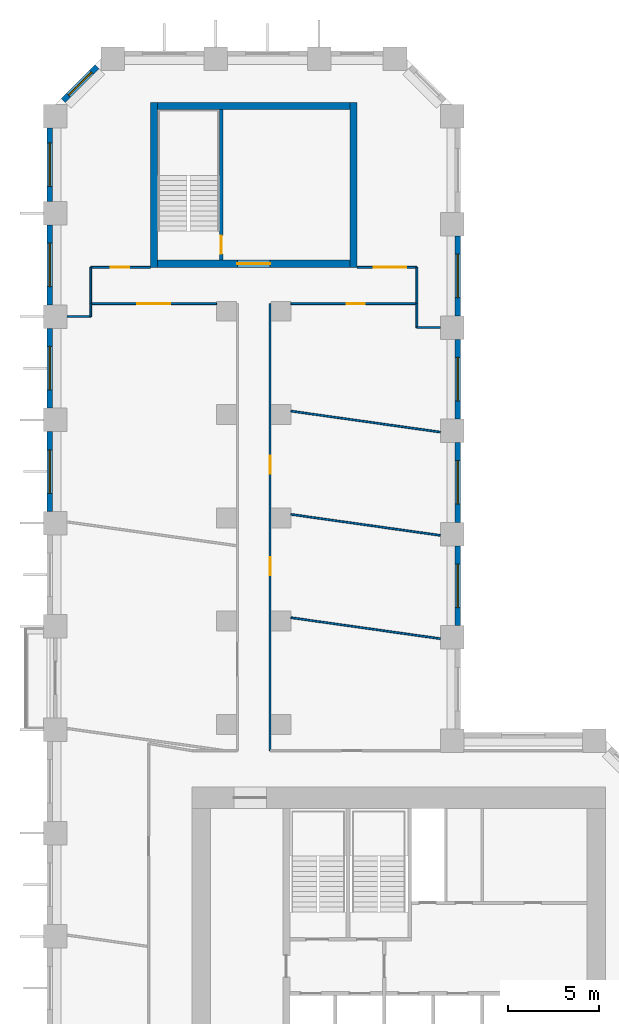
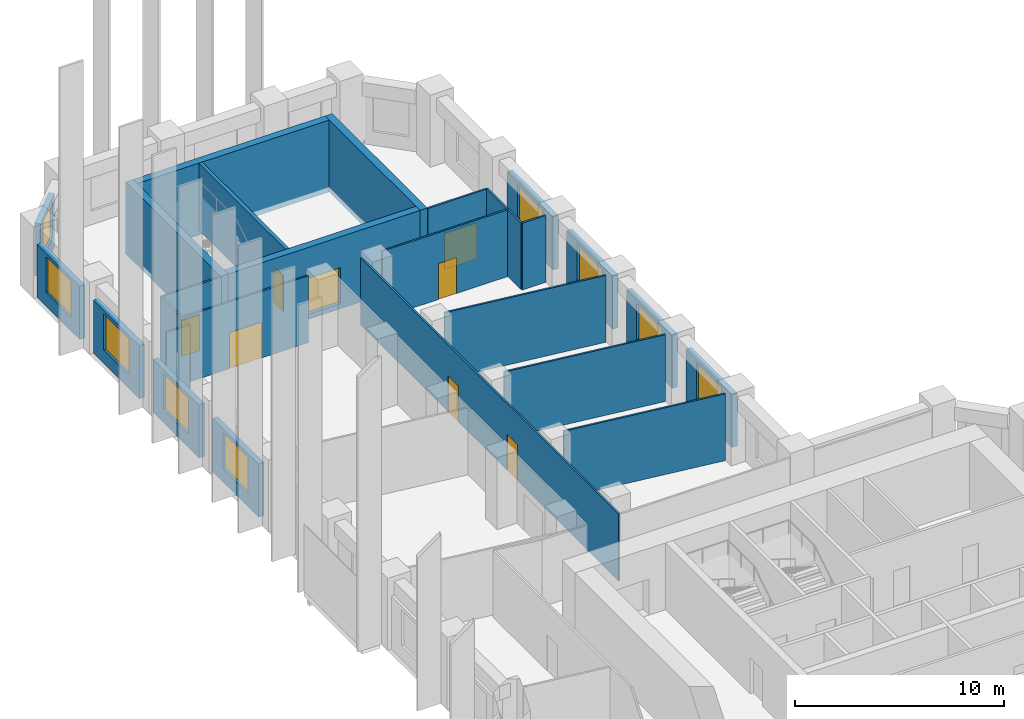
# One storey, part 8 of 10: 28 walls, 9 windows, 8 doors, 17 openings.
"""IFC4 building model written with IfcOpenShell, lengths in metres."""

import ifcopenshell
import ifcopenshell.guid

model = None  # the IFC model being written
_history = None  # IfcOwnerHistory: only IFC2X3 demands one
_inside = {}  # id of a spatial element -> (the spatial element, [elements in it])
_under = {}  # id of a project, library or spatial element -> (it, [spatial elements below it])
_declared = {}  # id of a project -> (the project, [libraries it declares])
_typed = {}  # id of a type object -> (the type object, [elements of that type])
_made_of = {}  # id of a material, layer set ... -> (it, [elements and type objects made of it])


def new_model(schema):
    """Start an empty IFC model of exactly this schema.

    Asked for "IFC4X3", IfcOpenShell would pick the latest addendum, in which some entities
    have other attributes; the version numbers below select the first issue.
    IFC2X3 requires an IfcOwnerHistory on every rooted entity: one is made here for all.
    """
    global model, _history
    if schema == "IFC4X3":
        model = ifcopenshell.file(schema_version=(4, 3, 0, 0))
    else:
        model = ifcopenshell.file(schema=schema)
    _inside.clear()
    _under.clear()
    _declared.clear()
    _typed.clear()
    _made_of.clear()
    _history = None
    if model.schema == "IFC2X3":
        org = make("IfcOrganization", Name="unknown")
        user = make(
            "IfcPersonAndOrganization",
            ThePerson=make("IfcPerson", FamilyName="unknown"),
            TheOrganization=org,
        )
        app = make(
            "IfcApplication",
            ApplicationDeveloper=org,
            Version="unknown",
            ApplicationFullName="unknown",
            ApplicationIdentifier="unknown",
        )
        _history = make(
            "IfcOwnerHistory",
            OwningUser=user,
            OwningApplication=app,
            ChangeAction="ADDED",
            CreationDate=0,
        )
    return model


def make(cls, **values):
    """One entity of the class cls with the attributes given. An attribute that is None is left unset."""
    return model.create_entity(
        cls, **{name: value for name, value in values.items() if value is not None}
    )


def rooted(cls, **values):
    """An entity with a GlobalId (a new one), such as an element, a storey or a relation."""
    return make(cls, GlobalId=ifcopenshell.guid.new(), OwnerHistory=_history, **values)


def si_unit(unit_type, name, prefix=None):
    """IfcSIUnit, for example si_unit("LENGTHUNIT", "METRE", prefix="MILLI")."""
    return make("IfcSIUnit", UnitType=unit_type, Prefix=prefix, Name=name)


def assignment(units):
    """IfcUnitAssignment: the units of a project."""
    return None if units is None else make("IfcUnitAssignment", Units=units)


def point(xyz):
    """IfcCartesianPoint."""
    return None if xyz is None else make("IfcCartesianPoint", Coordinates=xyz)


def direction(xyz):
    """IfcDirection."""
    return None if xyz is None else make("IfcDirection", DirectionRatios=xyz)


def frame(location, z_axis=None, x_axis=None):
    """IfcAxis2Placement3D, a coordinate frame: its origin and axes. An axis left out is left unset."""
    return make(
        "IfcAxis2Placement3D",
        Location=point(location),
        Axis=direction(z_axis),
        RefDirection=direction(x_axis),
    )


def frame_2d(location, x_axis=None):
    """IfcAxis2Placement2D, a coordinate frame in the plane: its origin and x axis."""
    return make(
        "IfcAxis2Placement2D", Location=point(location), RefDirection=direction(x_axis)
    )


def origin():
    """The frame at (0, 0, 0) with its axes left unset."""
    return frame((0.0, 0.0, 0.0))


def place(relative_to, where):
    """IfcLocalPlacement: puts the frame where relative to a parent placement (None: the world)."""
    return make(
        "IfcLocalPlacement", PlacementRelTo=relative_to, RelativePlacement=where
    )


def context(
    kind, dimensions, precision=None, world=None, true_north=None, identifier=None
):
    """IfcGeometricRepresentationContext, for example the 3D "Model" context."""
    return make(
        "IfcGeometricRepresentationContext",
        ContextIdentifier=identifier,
        ContextType=kind,
        CoordinateSpaceDimension=dimensions,
        Precision=precision,
        WorldCoordinateSystem=world,
        TrueNorth=true_north,
    )


def subcontext(parent, identifier, kind, view, scale=None):
    """IfcGeometricRepresentationSubContext, for example "Body" below "Model"."""
    return make(
        "IfcGeometricRepresentationSubContext",
        ContextIdentifier=identifier,
        ContextType=kind,
        ParentContext=parent,
        TargetScale=scale,
        TargetView=view,
    )


def project(units=None, contexts=None):
    """IfcProject with its units and contexts."""
    return rooted(
        "IfcProject",
        Name="project",
        RepresentationContexts=contexts,
        UnitsInContext=assignment(units),
    )


def spatial(cls, under=None, at=None, **own):
    """A site, building, storey or space (cls), placed at a placement, below another one or the project."""
    s = rooted(cls, ObjectPlacement=at, **own)
    if under is not None:
        _under.setdefault(under.id(), (under, []))[1].append(s)
    return s


def profile(cls, at=None, kind="AREA", **sizes):
    """A parametric profile (cls). Its sizes go by their IFC names, for example OverallWidth=200.0."""
    return make(cls, ProfileType=kind, Position=at, **sizes)


def rectangle(**sizes):
    """IfcRectangleProfileDef."""
    return profile("IfcRectangleProfileDef", **sizes)


def extrude(swept, where, along, depth):
    """IfcExtrudedAreaSolid: the profile swept, set in the frame where, extruded along a direction by depth."""
    return make(
        "IfcExtrudedAreaSolid",
        SweptArea=swept,
        Position=where,
        ExtrudedDirection=direction(along),
        Depth=depth,
    )


def shape(context_of_items, identifier, shape_type, items):
    """IfcShapeRepresentation: the items that make up one representation, for example the "Body"."""
    return make(
        "IfcShapeRepresentation",
        ContextOfItems=context_of_items,
        RepresentationIdentifier=identifier,
        RepresentationType=shape_type,
        Items=items,
    )


def material(Name=None, Category=None):
    """IfcMaterial."""
    return make("IfcMaterial", Name=Name, Category=Category)


def layer(
    of_material, thickness, ventilated=None, Name=None, Category=None, Priority=None
):
    """IfcMaterialLayer: one layer of a wall or slab, of a material (None: an air gap)."""
    return make(
        "IfcMaterialLayer",
        Material=of_material,
        LayerThickness=thickness,
        IsVentilated=ventilated,
        Name=Name,
        Category=Category,
        Priority=Priority,
    )


def layer_set(layers, Name=None):
    """IfcMaterialLayerSet."""
    return make("IfcMaterialLayerSet", MaterialLayers=layers, LayerSetName=Name)


def made_of(thing, what):
    """Note that an element or type object is made of a material, layer set ...; save() writes the relation."""
    if what is not None:
        _made_of.setdefault(what.id(), (what, []))[1].append(thing)
    return thing


def type_object(cls, material=None, **own):
    """A type object (cls), such as IfcWallType, which elements share."""
    return made_of(rooted(cls, **own), material)


def element(
    cls,
    number,
    at=None,
    inside=None,
    cuts=None,
    type_object=None,
    material=None,
    context=None,
    identifier="Body",
    shape_type=None,
    held_by="IfcProductDefinitionShape",
    body=None,
    shapes=None,
    **own,
):
    """One element of the class cls, such as IfcWall. Its Tag is "e" and its number.

    at: its placement. inside: the storey or other place that contains it. cuts: it is an
    opening in that element (IfcRelVoidsElement). A single representation is given by context,
    identifier, shape_type and body (its items); several are given by shapes. held_by: the class
    of the entity that holds the representations. save() writes the other relations.
    """
    e = rooted(cls, Tag="e%d" % number, ObjectPlacement=at, **own)
    if body is not None:
        shapes = [shape(context, identifier, shape_type, body)]
    if shapes is not None:
        e.Representation = make(held_by, Representations=shapes)
    if inside is not None:
        _inside.setdefault(inside.id(), (inside, []))[1].append(e)
    if cuts is not None:
        rooted(
            "IfcRelVoidsElement", RelatingBuildingElement=cuts, RelatedOpeningElement=e
        )
    if type_object is not None:
        _typed.setdefault(type_object.id(), (type_object, []))[1].append(e)
    return made_of(e, material)


def fill(opening, filler):
    """IfcRelFillsElement: the door or window that sits in an opening."""
    return rooted(
        "IfcRelFillsElement",
        RelatingOpeningElement=opening,
        RelatedBuildingElement=filler,
    )


def aggregate(whole, parts):
    """IfcRelAggregates: a whole, such as a stair, and the parts it consists of."""
    return rooted("IfcRelAggregates", RelatingObject=whole, RelatedObjects=parts)


def save(model, path):
    """Write the relations noted so far, then the file.

    IfcRelAggregates (storeys below a building ...), IfcRelContainedInSpatialStructure (elements
    in a storey), IfcRelDefinesByType, IfcRelAssociatesMaterial and IfcRelDeclares: one each for
    every whole, place, type object, material and project.
    """
    for whole, parts in _under.values():
        aggregate(whole, parts)
    for where, things in _inside.values():
        rooted(
            "IfcRelContainedInSpatialStructure",
            RelatedElements=things,
            RelatingStructure=where,
        )
    for kind, things in _typed.values():
        rooted("IfcRelDefinesByType", RelatedObjects=things, RelatingType=kind)
    for what, things in _made_of.values():
        rooted("IfcRelAssociatesMaterial", RelatedObjects=things, RelatingMaterial=what)
    for by, libraries in _declared.values():
        rooted("IfcRelDeclares", RelatingContext=by, RelatedDefinitions=libraries)
    model.write(path)


model = new_model("IFC4")

# Units and contexts
model_context = context("Model", 3, precision=1e-05, world=origin(), true_north=direction((0.0, 1.0)))
body_context = subcontext(model_context, "Body", "Model", "MODEL_VIEW")
ifc_project = project(units=[si_unit("LENGTHUNIT", "METRE"), si_unit("AREAUNIT", "SQUARE_METRE"), si_unit("VOLUMEUNIT", "CUBIC_METRE"), si_unit("PLANEANGLEUNIT", "RADIAN"), si_unit("MASSUNIT", "GRAM", prefix="KILO")], contexts=[model_context])

# Site, building, storey
site_placement = place(None, origin())
site = spatial("IfcSite", under=ifc_project, at=site_placement, CompositionType="ELEMENT")
building_placement = place(site_placement, origin())
building = spatial("IfcBuilding", under=site, at=building_placement, Name="Meshkara Civic Tower", CompositionType="ELEMENT")
storey_placement = place(building_placement, frame((0.0, 0.0, 114.0)))
storey = spatial("IfcBuildingStorey", under=building, at=storey_placement, Name="L25", CompositionType="ELEMENT", Elevation=114.0)

# Wall, opening, door
ifc_material_1 = material(Name="Corridor wall 100")
ifc_layer_1 = layer(ifc_material_1, 0.10009765625)
ifc_layer_set_1 = layer_set([ifc_layer_1], Name="Corridor wall 100")
wall_type_1 = type_object("IfcWallType", Name="Corridor wall 100", PredefinedType="PARTITIONING", material=ifc_layer_set_1)
wall_1_placement = place(storey_placement, frame((2.39990234375, 63.570068359375, 0.0), z_axis=(0.0, 0.0, 1.0), x_axis=(1.0, 0.0, 0.0)))
wall_1 = element("IfcWall", 1, at=wall_1_placement, inside=storey, type_object=wall_type_1, Name="L25-W001", PredefinedType="PARTITIONING", context=body_context, shape_type="SweptSolid", body=[
    extrude(rectangle(XDim=6.9501953125, YDim=0.10009765625, at=frame_2d((3.47509765625, 0.0))), origin(), (0.0, 0.0, 1.0), 3.89990234375),
])
opening_1_placement = place(wall_1_placement, frame((2.580078125, 0.0, 0.0)))
opening_1 = element("IfcOpeningElement", 2, at=opening_1_placement, cuts=wall_1, Name="Opening L25-D022", PredefinedType="OPENING", context=body_context, shape_type="SweptSolid", body=[
    extrude(rectangle(XDim=1.800048828125, YDim=2.10009765625, at=frame_2d((0.89990234375, 1.050048828125))), frame((0.0, 0.06005859375, 0.0), z_axis=(0.0, -1.0, 0.0), x_axis=(1.0, 0.0, 0.0)), (0.0, 0.0, 1.0), 0.1201171875),
])
ifc_material_2 = material(Name="Door pair 1800 x 2100")
door_type_1 = type_object("IfcDoorType", Name="Door pair 1800 x 2100", OperationType="SINGLE_SWING_LEFT", PredefinedType="DOOR", material=ifc_material_2)
door_1_placement = place(opening_1_placement, origin())
door_1 = element("IfcDoor", 3, at=door_1_placement, inside=storey, type_object=door_type_1, Name="L25-D022", OperationType="DOUBLE_DOOR_SINGLE_SWING", OverallHeight=2.10009765625, OverallWidth=1.800048828125, PredefinedType="DOOR", context=body_context, shape_type="SweptSolid", body=[
    extrude(rectangle(XDim=1.800048828125, YDim=2.10009765625, at=frame_2d((0.89990234375, 1.050048828125))), frame((0.0, 0.02490234375, 0.0), z_axis=(0.0, -1.0, 0.0), x_axis=(1.0, 0.0, 0.0)), (0.0, 0.0, 1.0), 0.050048828125),
])
fill(opening_1, door_1)

# Wall
wall_2_placement = place(storey_placement, frame((2.39990234375, 65.570068359375, 0.0), z_axis=(0.0, 0.0, 1.0), x_axis=(0.0, -1.0, 0.0)))
element("IfcWall", 4, at=wall_2_placement, inside=storey, type_object=wall_type_1, Name="L25-W002", PredefinedType="PARTITIONING", context=body_context, shape_type="SweptSolid", body=[
    extrude(rectangle(XDim=2.0, YDim=0.10009765625, at=frame_2d((1.0, 0.0))), origin(), (0.0, 0.0, 1.0), 3.89990234375),
])

# Wall, opening, door
wall_3_placement = place(storey_placement, frame((5.699951171875, 65.570068359375, 0.0), z_axis=(0.0, 0.0, 1.0), x_axis=(-1.0, 0.0, 0.0)))
wall_3 = element("IfcWall", 5, at=wall_3_placement, inside=storey, type_object=wall_type_1, Name="L25-W005", PredefinedType="PARTITIONING", context=body_context, shape_type="SweptSolid", body=[
    extrude(rectangle(XDim=3.300048828125, YDim=0.10009765625, at=frame_2d((1.64990234375, 0.0))), origin(), (0.0, 0.0, 1.0), 3.89990234375),
])
opening_2_placement = place(wall_3_placement, frame((1.179931640625, 0.0, 0.0)))
opening_2 = element("IfcOpeningElement", 6, at=opening_2_placement, cuts=wall_3, Name="Opening L25-D021", PredefinedType="OPENING", context=body_context, shape_type="SweptSolid", body=[
    extrude(rectangle(XDim=1.0, YDim=2.10009765625, at=frame_2d((0.5, 1.050048828125))), frame((0.0, 0.06005859375, 0.0), z_axis=(0.0, -1.0, 0.0), x_axis=(1.0, 0.0, 0.0)), (0.0, 0.0, 1.0), 0.1201171875),
])
ifc_material_3 = material(Name="Door 1000 x 2100")
door_type_2 = type_object("IfcDoorType", Name="Door 1000 x 2100", OperationType="SINGLE_SWING_LEFT", PredefinedType="DOOR", material=ifc_material_3)
door_2_placement = place(opening_2_placement, origin())
door_2 = element("IfcDoor", 7, at=door_2_placement, inside=storey, type_object=door_type_2, Name="L25-D021", OperationType="SINGLE_SWING_LEFT", OverallHeight=2.10009765625, OverallWidth=1.0, PredefinedType="DOOR", context=body_context, shape_type="SweptSolid", body=[
    extrude(rectangle(XDim=1.0, YDim=2.10009765625, at=frame_2d((0.5, 1.050048828125))), frame((0.0, 0.02490234375, 0.0), z_axis=(0.0, -1.0, 0.0), x_axis=(1.0, 0.0, 0.0)), (0.0, 0.0, 1.0), 0.050048828125),
])
fill(opening_2, door_2)

# Wall, openings, doors
wall_4_placement = place(storey_placement, frame((12.300048828125, 38.89990234375, 0.0), z_axis=(0.0, 0.0, 1.0), x_axis=(0.0, 1.0, 0.0)))
wall_4 = element("IfcWall", 8, at=wall_4_placement, inside=storey, type_object=wall_type_1, Name="L25-W014", PredefinedType="PARTITIONING", context=body_context, shape_type="SweptSolid", body=[
    extrude(rectangle(XDim=24.670166015625, YDim=0.10009765625, at=frame_2d((12.3349609375, 0.0))), origin(), (0.0, 0.0, 1.0), 3.89990234375),
])
opening_3_placement = place(wall_4_placement, frame((9.673095703125, 0.0, 0.0)))
opening_3 = element("IfcOpeningElement", 9, at=opening_3_placement, cuts=wall_4, Name="Opening L25-D019", PredefinedType="OPENING", context=body_context, shape_type="SweptSolid", body=[
    extrude(rectangle(XDim=1.0, YDim=2.10009765625, at=frame_2d((0.5, 1.050048828125))), frame((0.0, 0.06005859375, 0.0), z_axis=(0.0, -1.0, 0.0), x_axis=(1.0, 0.0, 0.0)), (0.0, 0.0, 1.0), 0.1201171875),
])
opening_4_placement = place(wall_4_placement, frame((15.27294921875, 0.0, 0.0)))
opening_4 = element("IfcOpeningElement", 10, at=opening_4_placement, cuts=wall_4, Name="Opening L25-D020", PredefinedType="OPENING", context=body_context, shape_type="SweptSolid", body=[
    extrude(rectangle(XDim=1.0, YDim=2.10009765625, at=frame_2d((0.5, 1.050048828125))), frame((0.0, 0.06005859375, 0.0), z_axis=(0.0, -1.0, 0.0), x_axis=(1.0, 0.0, 0.0)), (0.0, 0.0, 1.0), 0.1201171875),
])
door_3_placement = place(opening_3_placement, origin())
door_3 = element("IfcDoor", 11, at=door_3_placement, inside=storey, type_object=door_type_2, Name="L25-D019", OperationType="SINGLE_SWING_RIGHT", OverallHeight=2.10009765625, OverallWidth=1.0, PredefinedType="DOOR", context=body_context, shape_type="SweptSolid", body=[
    extrude(rectangle(XDim=1.0, YDim=2.10009765625, at=frame_2d((0.5, 1.050048828125))), frame((0.0, 0.02490234375, 0.0), z_axis=(0.0, -1.0, 0.0), x_axis=(1.0, 0.0, 0.0)), (0.0, 0.0, 1.0), 0.050048828125),
])
fill(opening_3, door_3)
door_4_placement = place(opening_4_placement, origin())
door_4 = element("IfcDoor", 12, at=door_4_placement, inside=storey, type_object=door_type_2, Name="L25-D020", OperationType="SINGLE_SWING_RIGHT", OverallHeight=2.10009765625, OverallWidth=1.0, PredefinedType="DOOR", context=body_context, shape_type="SweptSolid", body=[
    extrude(rectangle(XDim=1.0, YDim=2.10009765625, at=frame_2d((0.5, 1.050048828125))), frame((0.0, 0.02490234375, 0.0), z_axis=(0.0, -1.0, 0.0), x_axis=(1.0, 0.0, 0.0)), (0.0, 0.0, 1.0), 0.050048828125),
])
fill(opening_4, door_4)

# Wall, opening, door
wall_5_placement = place(storey_placement, frame((13.449951171875, 63.570068359375, 0.0), z_axis=(0.0, 0.0, 1.0), x_axis=(1.0, 0.0, 0.0)))
wall_5 = element("IfcWall", 13, at=wall_5_placement, inside=storey, type_object=wall_type_1, Name="L25-W016", PredefinedType="PARTITIONING", context=body_context, shape_type="SweptSolid", body=[
    extrude(rectangle(XDim=6.949951171875, YDim=0.10009765625, at=frame_2d((3.47509765625, 0.0))), origin(), (0.0, 0.0, 1.0), 3.89990234375),
])
opening_5_placement = place(wall_5_placement, frame((3.080078125, 0.0, 0.0)))
opening_5 = element("IfcOpeningElement", 14, at=opening_5_placement, cuts=wall_5, Name="Opening L25-D023", PredefinedType="OPENING", context=body_context, shape_type="SweptSolid", body=[
    extrude(rectangle(XDim=1.0, YDim=2.10009765625, at=frame_2d((0.5, 1.050048828125))), frame((0.0, 0.06005859375, 0.0), z_axis=(0.0, -1.0, 0.0), x_axis=(1.0, 0.0, 0.0)), (0.0, 0.0, 1.0), 0.1201171875),
])
door_5_placement = place(opening_5_placement, origin())
door_5 = element("IfcDoor", 15, at=door_5_placement, inside=storey, type_object=door_type_2, Name="L25-D023", OperationType="SINGLE_SWING_LEFT", OverallHeight=2.10009765625, OverallWidth=1.0, PredefinedType="DOOR", context=body_context, shape_type="SweptSolid", body=[
    extrude(rectangle(XDim=1.0, YDim=2.10009765625, at=frame_2d((0.5, 1.050048828125))), frame((0.0, 0.02490234375, 0.0), z_axis=(0.0, -1.0, 0.0), x_axis=(1.0, 0.0, 0.0)), (0.0, 0.0, 1.0), 0.050048828125),
])
fill(opening_5, door_5)

# Wall
wall_6_placement = place(storey_placement, frame((20.39990234375, 63.570068359375, 0.0), z_axis=(0.0, 0.0, 1.0), x_axis=(0.0, 1.0, 0.0)))
element("IfcWall", 16, at=wall_6_placement, inside=storey, type_object=wall_type_1, Name="L25-W017", PredefinedType="PARTITIONING", context=body_context, shape_type="SweptSolid", body=[
    extrude(rectangle(XDim=2.0, YDim=0.10009765625, at=frame_2d((1.0, 0.0))), origin(), (0.0, 0.0, 1.0), 3.89990234375),
])

# Wall, opening, door
wall_7_placement = place(storey_placement, frame((20.39990234375, 65.570068359375, 0.0), z_axis=(0.0, 0.0, 1.0), x_axis=(-1.0, 0.0, 0.0)))
wall_7 = element("IfcWall", 17, at=wall_7_placement, inside=storey, type_object=wall_type_1, Name="L25-W018", PredefinedType="PARTITIONING", context=body_context, shape_type="SweptSolid", body=[
    extrude(rectangle(XDim=3.2998046875, YDim=0.10009765625, at=frame_2d((1.64990234375, 0.0))), origin(), (0.0, 0.0, 1.0), 3.89990234375),
])
opening_6_placement = place(wall_7_placement, frame((0.580078125, 0.0, 0.0)))
opening_6 = element("IfcOpeningElement", 18, at=opening_6_placement, cuts=wall_7, Name="Opening L25-D024", PredefinedType="OPENING", context=body_context, shape_type="SweptSolid", body=[
    extrude(rectangle(XDim=1.800048828125, YDim=2.10009765625, at=frame_2d((0.89990234375, 1.050048828125))), frame((0.0, 0.06005859375, 0.0), z_axis=(0.0, -1.0, 0.0), x_axis=(1.0, 0.0, 0.0)), (0.0, 0.0, 1.0), 0.1201171875),
])
door_6_placement = place(opening_6_placement, origin())
door_6 = element("IfcDoor", 19, at=door_6_placement, inside=storey, type_object=door_type_1, Name="L25-D024", OperationType="DOUBLE_DOOR_SINGLE_SWING", OverallHeight=2.10009765625, OverallWidth=1.800048828125, PredefinedType="DOOR", context=body_context, shape_type="SweptSolid", body=[
    extrude(rectangle(XDim=1.800048828125, YDim=2.10009765625, at=frame_2d((0.89990234375, 1.050048828125))), frame((0.0, 0.02490234375, 0.0), z_axis=(0.0, -1.0, 0.0), x_axis=(1.0, 0.0, 0.0)), (0.0, 0.0, 1.0), 0.050048828125),
])
fill(opening_6, door_6)

# Wall, opening, window
ifc_material_4 = material(Name="Insulated infill panel with bronze anodised aluminium cladding", Category="aluminium")
ifc_layer_2 = layer(ifc_material_4, 0.300048828125)
ifc_layer_set_2 = layer_set([ifc_layer_2], Name="EXTERNAL INFILL WALL 300")
wall_type_2 = type_object("IfcWallType", Name="EXTERNAL INFILL WALL 300", PredefinedType="SOLIDWALL", material=ifc_layer_set_2)
wall_8_placement = place(storey_placement, frame((22.64990234375, 45.800048828125, 0.0), z_axis=(0.0, 0.0, 1.0), x_axis=(0.0, 1.0, 0.0)))
wall_8 = element("IfcWall", 20, at=wall_8_placement, inside=storey, type_object=wall_type_2, Name="External wall", PredefinedType="SOLIDWALL", context=body_context, shape_type="SweptSolid", body=[
    extrude(rectangle(XDim=4.39990234375, YDim=0.300048828125, at=frame_2d((2.199951171875, 0.0))), origin(), (0.0, 0.0, 1.0), 3.10009765625),
])
opening_7_placement = place(wall_8_placement, frame((1.0, 0.0, 0.800048828125)))
opening_7 = element("IfcOpeningElement", 21, at=opening_7_placement, cuts=wall_8, Name="Opening W7", PredefinedType="OPENING", context=body_context, shape_type="SweptSolid", body=[
    extrude(rectangle(XDim=2.39990234375, YDim=2.10009765625, at=frame_2d((1.199951171875, 1.050048828125))), frame((0.0, 0.159912109375, 0.0), z_axis=(0.0, -1.0, 0.0), x_axis=(1.0, 0.0, 0.0)), (0.0, 0.0, 1.0), 0.320068359375),
])
ifc_material_5 = material(Name="Tinted double glazing", Category="glass")
window_type_1 = type_object("IfcWindowType", Name="WINDOW 2400x2100", PartitioningType="DOUBLE_PANEL_VERTICAL", PredefinedType="WINDOW", material=ifc_material_5)
window_1_placement = place(opening_7_placement, origin())
window_1 = element("IfcWindow", 22, at=window_1_placement, inside=storey, type_object=window_type_1, Name="Window", OverallHeight=2.10009765625, OverallWidth=2.39990234375, PartitioningType="DOUBLE_PANEL_VERTICAL", PredefinedType="WINDOW", context=body_context, shape_type="SweptSolid", body=[
    extrude(rectangle(XDim=2.39990234375, YDim=2.10009765625, at=frame_2d((1.199951171875, 1.050048828125))), frame((0.0, 0.030029296875, 0.0), z_axis=(0.0, -1.0, 0.0), x_axis=(1.0, 0.0, 0.0)), (0.0, 0.0, 1.0), 0.06005859375),
])
fill(opening_7, window_1)

wall_9_placement = place(storey_placement, frame((22.64990234375, 51.5, 0.0), z_axis=(0.0, 0.0, 1.0), x_axis=(0.0, 1.0, 0.0)))
wall_9 = element("IfcWall", 23, at=wall_9_placement, inside=storey, type_object=wall_type_2, Name="External wall", PredefinedType="SOLIDWALL", context=body_context, shape_type="SweptSolid", body=[
    extrude(rectangle(XDim=4.39990234375, YDim=0.300048828125, at=frame_2d((2.199951171875, 0.0))), origin(), (0.0, 0.0, 1.0), 3.10009765625),
])
opening_8_placement = place(wall_9_placement, frame((1.0, 0.0, 0.800048828125)))
opening_8 = element("IfcOpeningElement", 24, at=opening_8_placement, cuts=wall_9, Name="Opening W7", PredefinedType="OPENING", context=body_context, shape_type="SweptSolid", body=[
    extrude(rectangle(XDim=2.39990234375, YDim=2.10009765625, at=frame_2d((1.199951171875, 1.050048828125))), frame((0.0, 0.159912109375, 0.0), z_axis=(0.0, -1.0, 0.0), x_axis=(1.0, 0.0, 0.0)), (0.0, 0.0, 1.0), 0.320068359375),
])
window_2_placement = place(opening_8_placement, origin())
window_2 = element("IfcWindow", 25, at=window_2_placement, inside=storey, type_object=window_type_1, Name="Window", OverallHeight=2.10009765625, OverallWidth=2.39990234375, PartitioningType="DOUBLE_PANEL_VERTICAL", PredefinedType="WINDOW", context=body_context, shape_type="SweptSolid", body=[
    extrude(rectangle(XDim=2.39990234375, YDim=2.10009765625, at=frame_2d((1.199951171875, 1.050048828125))), frame((0.0, 0.030029296875, 0.0), z_axis=(0.0, -1.0, 0.0), x_axis=(1.0, 0.0, 0.0)), (0.0, 0.0, 1.0), 0.06005859375),
])
fill(opening_8, window_2)

wall_10_placement = place(storey_placement, frame((22.64990234375, 57.199951171875, 0.0), z_axis=(0.0, 0.0, 1.0), x_axis=(0.0, 1.0, 0.0)))
wall_10 = element("IfcWall", 26, at=wall_10_placement, inside=storey, type_object=wall_type_2, Name="External wall", PredefinedType="SOLIDWALL", context=body_context, shape_type="SweptSolid", body=[
    extrude(rectangle(XDim=4.400146484375, YDim=0.300048828125, at=frame_2d((2.2001953125, 0.0))), origin(), (0.0, 0.0, 1.0), 3.10009765625),
])
opening_9_placement = place(wall_10_placement, frame((1.0, 0.0, 0.800048828125)))
opening_9 = element("IfcOpeningElement", 27, at=opening_9_placement, cuts=wall_10, Name="Opening W7", PredefinedType="OPENING", context=body_context, shape_type="SweptSolid", body=[
    extrude(rectangle(XDim=2.39990234375, YDim=2.10009765625, at=frame_2d((1.199951171875, 1.050048828125))), frame((0.0, 0.159912109375, 0.0), z_axis=(0.0, -1.0, 0.0), x_axis=(1.0, 0.0, 0.0)), (0.0, 0.0, 1.0), 0.320068359375),
])
window_3_placement = place(opening_9_placement, origin())
window_3 = element("IfcWindow", 28, at=window_3_placement, inside=storey, type_object=window_type_1, Name="Window", OverallHeight=2.10009765625, OverallWidth=2.39990234375, PartitioningType="DOUBLE_PANEL_VERTICAL", PredefinedType="WINDOW", context=body_context, shape_type="SweptSolid", body=[
    extrude(rectangle(XDim=2.39990234375, YDim=2.10009765625, at=frame_2d((1.199951171875, 1.050048828125))), frame((0.0, 0.030029296875, 0.0), z_axis=(0.0, -1.0, 0.0), x_axis=(1.0, 0.0, 0.0)), (0.0, 0.0, 1.0), 0.06005859375),
])
fill(opening_9, window_3)

wall_11_placement = place(storey_placement, frame((22.64990234375, 62.89990234375, 0.0), z_axis=(0.0, 0.0, 1.0), x_axis=(0.0, 1.0, 0.0)))
wall_11 = element("IfcWall", 29, at=wall_11_placement, inside=storey, type_object=wall_type_2, Name="External wall", PredefinedType="SOLIDWALL", context=body_context, shape_type="SweptSolid", body=[
    extrude(rectangle(XDim=4.400146484375, YDim=0.300048828125, at=frame_2d((2.2001953125, 0.0))), origin(), (0.0, 0.0, 1.0), 3.10009765625),
])
opening_10_placement = place(wall_11_placement, frame((1.0, 0.0, 0.800048828125)))
opening_10 = element("IfcOpeningElement", 30, at=opening_10_placement, cuts=wall_11, Name="Opening W7", PredefinedType="OPENING", context=body_context, shape_type="SweptSolid", body=[
    extrude(rectangle(XDim=2.39990234375, YDim=2.10009765625, at=frame_2d((1.199951171875, 1.050048828125))), frame((0.0, 0.159912109375, 0.0), z_axis=(0.0, -1.0, 0.0), x_axis=(1.0, 0.0, 0.0)), (0.0, 0.0, 1.0), 0.320068359375),
])
window_4_placement = place(opening_10_placement, origin())
window_4 = element("IfcWindow", 31, at=window_4_placement, inside=storey, type_object=window_type_1, Name="Window", OverallHeight=2.10009765625, OverallWidth=2.39990234375, PartitioningType="DOUBLE_PANEL_VERTICAL", PredefinedType="WINDOW", context=body_context, shape_type="SweptSolid", body=[
    extrude(rectangle(XDim=2.39990234375, YDim=2.10009765625, at=frame_2d((1.199951171875, 1.050048828125))), frame((0.0, 0.030029296875, 0.0), z_axis=(0.0, -1.0, 0.0), x_axis=(1.0, 0.0, 0.0)), (0.0, 0.0, 1.0), 0.06005859375),
])
fill(opening_10, window_4)

wall_12_placement = place(storey_placement, frame((2.743896484375, 76.632080078125, 0.0), z_axis=(0.0, 0.0, 1.0), x_axis=(-0.707060274772, -0.707153284542, 0.0)))
wall_12 = element("IfcWall", 32, at=wall_12_placement, inside=storey, type_object=wall_type_2, Name="External wall", PredefinedType="SOLIDWALL", context=body_context, shape_type="SweptSolid", body=[
    extrude(rectangle(XDim=2.625, YDim=0.300048828125, at=frame_2d((1.3125, 0.0))), origin(), (0.0, 0.0, 1.0), 3.10009765625),
])
opening_11_placement = place(wall_12_placement, frame((0.412109375, 0.0, 0.800048828125)))
opening_11 = element("IfcOpeningElement", 33, at=opening_11_placement, cuts=wall_12, Name="Opening W9", PredefinedType="OPENING", context=body_context, shape_type="SweptSolid", body=[
    extrude(rectangle(XDim=1.800048828125, YDim=2.10009765625, at=frame_2d((0.89990234375, 1.050048828125))), frame((0.0, 0.159912109375, 0.0), z_axis=(0.0, -1.0, 0.0), x_axis=(1.0, 0.0, 0.0)), (0.0, 0.0, 1.0), 0.320068359375),
])
ifc_material_6 = material(Name="Tinted double glazing", Category="glass")
window_type_2 = type_object("IfcWindowType", Name="WINDOW 1800x2100", PartitioningType="DOUBLE_PANEL_VERTICAL", PredefinedType="WINDOW", material=ifc_material_6)
window_5_placement = place(opening_11_placement, origin())
window_5 = element("IfcWindow", 34, at=window_5_placement, inside=storey, type_object=window_type_2, Name="Window", OverallHeight=2.10009765625, OverallWidth=1.800048828125, PartitioningType="DOUBLE_PANEL_VERTICAL", PredefinedType="WINDOW", context=body_context, shape_type="SweptSolid", body=[
    extrude(rectangle(XDim=1.800048828125, YDim=2.10009765625, at=frame_2d((0.89990234375, 1.050048828125))), frame((0.0, 0.030029296875, 0.0), z_axis=(0.0, -1.0, 0.0), x_axis=(1.0, 0.0, 0.0)), (0.0, 0.0, 1.0), 0.06005859375),
])
fill(opening_11, window_5)

wall_13_placement = place(storey_placement, frame((0.14990234375, 73.263916015625, 0.0), z_axis=(0.0, 0.0, 1.0), x_axis=(0.0, -1.0, 0.0)))
wall_13 = element("IfcWall", 35, at=wall_13_placement, inside=storey, type_object=wall_type_2, Name="External wall", PredefinedType="SOLIDWALL", context=body_context, shape_type="SweptSolid", body=[
    extrude(rectangle(XDim=4.058837890625, YDim=0.300048828125, at=frame_2d((2.029296875, 0.0))), origin(), (0.0, 0.0, 1.0), 3.10009765625),
])
opening_12_placement = place(wall_13_placement, frame((0.8291015625, 0.0, 0.800048828125)))
opening_12 = element("IfcOpeningElement", 36, at=opening_12_placement, cuts=wall_13, Name="Opening W7", PredefinedType="OPENING", context=body_context, shape_type="SweptSolid", body=[
    extrude(rectangle(XDim=2.39990234375, YDim=2.10009765625, at=frame_2d((1.199951171875, 1.050048828125))), frame((0.0, 0.159912109375, 0.0), z_axis=(0.0, -1.0, 0.0), x_axis=(1.0, 0.0, 0.0)), (0.0, 0.0, 1.0), 0.320068359375),
])
window_6_placement = place(opening_12_placement, origin())
window_6 = element("IfcWindow", 37, at=window_6_placement, inside=storey, type_object=window_type_1, Name="Window", OverallHeight=2.10009765625, OverallWidth=2.39990234375, PartitioningType="DOUBLE_PANEL_VERTICAL", PredefinedType="WINDOW", context=body_context, shape_type="SweptSolid", body=[
    extrude(rectangle(XDim=2.39990234375, YDim=2.10009765625, at=frame_2d((1.199951171875, 1.050048828125))), frame((0.0, 0.030029296875, 0.0), z_axis=(0.0, -1.0, 0.0), x_axis=(1.0, 0.0, 0.0)), (0.0, 0.0, 1.0), 0.06005859375),
])
fill(opening_12, window_6)

wall_14_placement = place(storey_placement, frame((0.14990234375, 67.905029296875, 0.0), z_axis=(0.0, 0.0, 1.0), x_axis=(0.0, -1.0, 0.0)))
wall_14 = element("IfcWall", 38, at=wall_14_placement, inside=storey, type_object=wall_type_2, Name="External wall", PredefinedType="SOLIDWALL", context=body_context, shape_type="SweptSolid", body=[
    extrude(rectangle(XDim=4.400146484375, YDim=0.300048828125, at=frame_2d((2.2001953125, 0.0))), origin(), (0.0, 0.0, 1.0), 3.10009765625),
])
opening_13_placement = place(wall_14_placement, frame((1.0, 0.0, 0.800048828125)))
opening_13 = element("IfcOpeningElement", 39, at=opening_13_placement, cuts=wall_14, Name="Opening W7", PredefinedType="OPENING", context=body_context, shape_type="SweptSolid", body=[
    extrude(rectangle(XDim=2.39990234375, YDim=2.10009765625, at=frame_2d((1.199951171875, 1.050048828125))), frame((0.0, 0.159912109375, 0.0), z_axis=(0.0, -1.0, 0.0), x_axis=(1.0, 0.0, 0.0)), (0.0, 0.0, 1.0), 0.320068359375),
])
window_7_placement = place(opening_13_placement, origin())
window_7 = element("IfcWindow", 40, at=window_7_placement, inside=storey, type_object=window_type_1, Name="Window", OverallHeight=2.10009765625, OverallWidth=2.39990234375, PartitioningType="DOUBLE_PANEL_VERTICAL", PredefinedType="WINDOW", context=body_context, shape_type="SweptSolid", body=[
    extrude(rectangle(XDim=2.39990234375, YDim=2.10009765625, at=frame_2d((1.199951171875, 1.050048828125))), frame((0.0, 0.030029296875, 0.0), z_axis=(0.0, -1.0, 0.0), x_axis=(1.0, 0.0, 0.0)), (0.0, 0.0, 1.0), 0.06005859375),
])
fill(opening_13, window_7)

wall_15_placement = place(storey_placement, frame((0.14990234375, 62.205078125, 0.0), z_axis=(0.0, 0.0, 1.0), x_axis=(0.0, -1.0, 0.0)))
wall_15 = element("IfcWall", 41, at=wall_15_placement, inside=storey, type_object=wall_type_2, Name="External wall", PredefinedType="SOLIDWALL", context=body_context, shape_type="SweptSolid", body=[
    extrude(rectangle(XDim=4.400146484375, YDim=0.300048828125, at=frame_2d((2.2001953125, 0.0))), origin(), (0.0, 0.0, 1.0), 3.10009765625),
])
opening_14_placement = place(wall_15_placement, frame((1.0, 0.0, 0.800048828125)))
opening_14 = element("IfcOpeningElement", 42, at=opening_14_placement, cuts=wall_15, Name="Opening W7", PredefinedType="OPENING", context=body_context, shape_type="SweptSolid", body=[
    extrude(rectangle(XDim=2.39990234375, YDim=2.10009765625, at=frame_2d((1.199951171875, 1.050048828125))), frame((0.0, 0.159912109375, 0.0), z_axis=(0.0, -1.0, 0.0), x_axis=(1.0, 0.0, 0.0)), (0.0, 0.0, 1.0), 0.320068359375),
])
window_8_placement = place(opening_14_placement, origin())
window_8 = element("IfcWindow", 43, at=window_8_placement, inside=storey, type_object=window_type_1, Name="Window", OverallHeight=2.10009765625, OverallWidth=2.39990234375, PartitioningType="DOUBLE_PANEL_VERTICAL", PredefinedType="WINDOW", context=body_context, shape_type="SweptSolid", body=[
    extrude(rectangle(XDim=2.39990234375, YDim=2.10009765625, at=frame_2d((1.199951171875, 1.050048828125))), frame((0.0, 0.030029296875, 0.0), z_axis=(0.0, -1.0, 0.0), x_axis=(1.0, 0.0, 0.0)), (0.0, 0.0, 1.0), 0.06005859375),
])
fill(opening_14, window_8)

wall_16_placement = place(storey_placement, frame((0.14990234375, 56.5048828125, 0.0), z_axis=(0.0, 0.0, 1.0), x_axis=(0.0, -1.0, 0.0)))
wall_16 = element("IfcWall", 44, at=wall_16_placement, inside=storey, type_object=wall_type_2, Name="External wall", PredefinedType="SOLIDWALL", context=body_context, shape_type="SweptSolid", body=[
    extrude(rectangle(XDim=4.39990234375, YDim=0.300048828125, at=frame_2d((2.199951171875, 0.0))), origin(), (0.0, 0.0, 1.0), 3.10009765625),
])
opening_15_placement = place(wall_16_placement, frame((1.0, 0.0, 0.800048828125)))
opening_15 = element("IfcOpeningElement", 45, at=opening_15_placement, cuts=wall_16, Name="Opening W7", PredefinedType="OPENING", context=body_context, shape_type="SweptSolid", body=[
    extrude(rectangle(XDim=2.39990234375, YDim=2.10009765625, at=frame_2d((1.199951171875, 1.050048828125))), frame((0.0, 0.159912109375, 0.0), z_axis=(0.0, -1.0, 0.0), x_axis=(1.0, 0.0, 0.0)), (0.0, 0.0, 1.0), 0.320068359375),
])
window_9_placement = place(opening_15_placement, origin())
window_9 = element("IfcWindow", 46, at=window_9_placement, inside=storey, type_object=window_type_1, Name="Window", OverallHeight=2.10009765625, OverallWidth=2.39990234375, PartitioningType="DOUBLE_PANEL_VERTICAL", PredefinedType="WINDOW", context=body_context, shape_type="SweptSolid", body=[
    extrude(rectangle(XDim=2.39990234375, YDim=2.10009765625, at=frame_2d((1.199951171875, 1.050048828125))), frame((0.0, 0.030029296875, 0.0), z_axis=(0.0, -1.0, 0.0), x_axis=(1.0, 0.0, 0.0)), (0.0, 0.0, 1.0), 0.06005859375),
])
fill(opening_15, window_9)

# Walls
ifc_material_7 = material(Name="Concrete C70", Category="concrete")
ifc_layer_3 = layer(ifc_material_7, 0.39990234375)
ifc_layer_set_3 = layer_set([ifc_layer_3], Name="End core ring wall 400 C70")
wall_type_3 = type_object("IfcWallType", Name="End core ring wall 400 C70", PredefinedType="SHEAR", material=ifc_layer_set_3)
for number, where, z_axis, x_axis, name in (
    (47, (5.89990234375, 65.570068359375, -0.300048828125), (0.0, 0.0, 1.0), (0.0, 1.0, 0.0), "L25-C026"),
    (48, (16.89990234375, 65.570068359375, -0.300048828125), (0.0, 0.0, 1.0), (0.0, 1.0, 0.0), "L25-C027"),
):
    element("IfcWall", number, at=place(storey_placement, frame(where, z_axis=z_axis, x_axis=x_axis)), inside=storey, type_object=wall_type_3, Name=name, PredefinedType="SHEAR", context=body_context, shape_type="SweptSolid", body=[
        extrude(rectangle(XDim=9.099853515625, YDim=0.39990234375, at=frame_2d((4.5498046875, 0.0))), origin(), (0.0, 0.0, 1.0), 4.199951171875),
    ])

# Wall, opening, door
wall_17_placement = place(storey_placement, frame((6.10009765625, 65.77001953125, -0.300048828125), z_axis=(0.0, 0.0, 1.0), x_axis=(1.0, 0.0, 0.0)))
wall_17 = element("IfcWall", 49, at=wall_17_placement, inside=storey, type_object=wall_type_3, Name="L25-C028", PredefinedType="SHEAR", context=body_context, shape_type="SweptSolid", body=[
    extrude(rectangle(XDim=10.599853515625, YDim=0.39990234375, at=frame_2d((5.2998046875, 0.0))), origin(), (0.0, 0.0, 1.0), 4.199951171875),
])
opening_16_placement = place(wall_17_placement, frame((4.39990234375, 0.0, 0.300048828125)))
opening_16 = element("IfcOpeningElement", 50, at=opening_16_placement, cuts=wall_17, Name="Opening L25-K102", PredefinedType="OPENING", context=body_context, shape_type="SweptSolid", body=[
    extrude(rectangle(XDim=1.800048828125, YDim=2.10009765625, at=frame_2d((0.89990234375, 1.050048828125))), frame((0.0, 0.2099609375, 0.0), z_axis=(0.0, -1.0, 0.0), x_axis=(1.0, 0.0, 0.0)), (0.0, 0.0, 1.0), 0.419921875),
])
ifc_material_8 = material(Name="Fire-rated door leaf in steel frame", Category="steel")
door_type_3 = type_object("IfcDoorType", Name="Core double door 1800 EI 60", OperationType="DOUBLE_DOOR_SINGLE_SWING", PredefinedType="DOOR", material=ifc_material_8)
door_7_placement = place(opening_16_placement, origin())
door_7 = element("IfcDoor", 51, at=door_7_placement, inside=storey, type_object=door_type_3, Name="L25-K102", OperationType="DOUBLE_DOOR_SINGLE_SWING", OverallHeight=2.10009765625, OverallWidth=1.800048828125, PredefinedType="DOOR", context=body_context, shape_type="SweptSolid", body=[
    extrude(rectangle(XDim=1.800048828125, YDim=2.10009765625, at=frame_2d((0.89990234375, 1.050048828125))), frame((0.0, 0.02490234375, 0.0), z_axis=(0.0, -1.0, 0.0), x_axis=(1.0, 0.0, 0.0)), (0.0, 0.0, 1.0), 0.050048828125),
])
fill(opening_16, door_7)

# Walls
wall_18_placement = place(storey_placement, frame((6.10009765625, 74.469970703125, -0.300048828125), z_axis=(0.0, 0.0, 1.0), x_axis=(1.0, 0.0, 0.0)))
element("IfcWall", 52, at=wall_18_placement, inside=storey, type_object=wall_type_3, Name="L25-C029", PredefinedType="SHEAR", context=body_context, shape_type="SweptSolid", body=[
    extrude(rectangle(XDim=10.599853515625, YDim=0.39990234375, at=frame_2d((5.2998046875, 0.0))), origin(), (0.0, 0.0, 1.0), 4.199951171875),
])
ifc_material_9 = material(Name="Partition 100")
ifc_layer_4 = layer(ifc_material_9, 0.10009765625)
ifc_layer_set_4 = layer_set([ifc_layer_4], Name="Partition 100")
wall_type_4 = type_object("IfcWallType", Name="Partition 100", PredefinedType="PARTITIONING", material=ifc_layer_set_4)
wall_19_placement = place(storey_placement, frame((2.39990234375, 62.85498046875, 0.0), z_axis=(0.0, 0.0, 1.0), x_axis=(-1.0, 0.0, 0.0)))
element("IfcWall", 53, at=wall_19_placement, inside=storey, type_object=wall_type_4, Name="L25-W030", PredefinedType="PARTITIONING", context=body_context, shape_type="SweptSolid", body=[
    extrude(rectangle(XDim=1.2998046875, YDim=0.10009765625, at=frame_2d((0.64990234375, 0.0))), origin(), (0.0, 0.0, 1.0), 3.89990234375),
])
wall_20_placement = place(storey_placement, frame((2.39990234375, 63.573974609375, 0.0), z_axis=(0.0, 0.0, 1.0), x_axis=(0.0, -1.0, 0.0)))
element("IfcWall", 54, at=wall_20_placement, inside=storey, type_object=wall_type_4, Name="L25-W031", PredefinedType="PARTITIONING", context=body_context, shape_type="SweptSolid", body=[
    extrude(rectangle(XDim=0.718994140625, YDim=0.10009765625, at=frame_2d((0.359375, 0.0))), origin(), (0.0, 0.0, 1.0), 3.89990234375),
])
wall_21_placement = place(storey_placement, frame((20.39990234375, 62.25, 0.0), z_axis=(0.0, 0.0, 1.0), x_axis=(0.0, 1.0, 0.0)))
element("IfcWall", 55, at=wall_21_placement, inside=storey, type_object=wall_type_4, Name="L25-W037", PredefinedType="PARTITIONING", context=body_context, shape_type="SweptSolid", body=[
    extrude(rectangle(XDim=1.323974609375, YDim=0.10009765625, at=frame_2d((0.662109375, 0.0))), origin(), (0.0, 0.0, 1.0), 3.89990234375),
])
for number, where, z_axis, x_axis, name in (
    (56, (21.699951171875, 45.0791015625, 0.0), (0.0, 0.0, 1.0), (-0.990260619465, 0.139226095025, 0.0), "L25-W039"),
    (57, (21.699951171875, 50.779052734375, 0.0), (0.0, 0.0, 1.0), (-0.990260619465, 0.139226095025, 0.0), "L25-W040"),
    (58, (21.699951171875, 56.47900390625, 0.0), (0.0, 0.0, 1.0), (-0.990260619465, 0.139226095025, 0.0), "L25-W041"),
):
    element("IfcWall", number, at=place(storey_placement, frame(where, z_axis=z_axis, x_axis=x_axis)), inside=storey, type_object=wall_type_4, Name=name, PredefinedType="PARTITIONING", context=body_context, shape_type="SweptSolid", body=[
        extrude(rectangle(XDim=8.3310546875, YDim=0.10009765625, at=frame_2d((4.16552734375, 0.0))), origin(), (0.0, 0.0, 1.0), 3.89990234375),
    ])
wall_22_placement = place(storey_placement, frame((21.699951171875, 62.25, 0.0), z_axis=(0.0, 0.0, 1.0), x_axis=(-1.0, 0.0, 0.0)))
element("IfcWall", 59, at=wall_22_placement, inside=storey, type_object=wall_type_4, Name="L25-W042", PredefinedType="PARTITIONING", context=body_context, shape_type="SweptSolid", body=[
    extrude(rectangle(XDim=1.300048828125, YDim=0.10009765625, at=frame_2d((0.64990234375, 0.0))), origin(), (0.0, 0.0, 1.0), 3.89990234375),
])

# Wall, opening, door
ifc_material_10 = material(Name="Concrete C40/50", Category="concrete")
ifc_layer_5 = layer(ifc_material_10, 0.199951171875)
ifc_layer_set_5 = layer_set([ifc_layer_5], Name="Stair enclosure wall 200 C40/50")
wall_type_5 = type_object("IfcWallType", Name="Stair enclosure wall 200 C40/50", PredefinedType="SOLIDWALL", material=ifc_layer_set_5)
wall_23_placement = place(storey_placement, frame((9.60009765625, 65.969970703125, 0.0), z_axis=(0.0, 0.0, 1.0), x_axis=(0.0, 1.0, 0.0)))
wall_23 = element("IfcWall", 60, at=wall_23_placement, inside=storey, type_object=wall_type_5, Name="L25-C030", PredefinedType="SOLIDWALL", context=body_context, shape_type="SweptSolid", body=[
    extrude(rectangle(XDim=8.300048828125, YDim=0.199951171875, at=frame_2d((4.14990234375, 0.0))), origin(), (0.0, 0.0, 1.0), 3.89990234375),
])
opening_17_placement = place(wall_23_placement, frame((0.35009765625, 0.0, 0.0)))
opening_17 = element("IfcOpeningElement", 61, at=opening_17_placement, cuts=wall_23, Name="Opening L25-K101", PredefinedType="OPENING", context=body_context, shape_type="SweptSolid", body=[
    extrude(rectangle(XDim=1.0, YDim=2.10009765625, at=frame_2d((0.5, 1.050048828125))), frame((0.0, 0.10986328125, 0.0), z_axis=(0.0, -1.0, 0.0), x_axis=(1.0, 0.0, 0.0)), (0.0, 0.0, 1.0), 0.219970703125),
])
ifc_material_11 = material(Name="Fire-rated door leaf in steel frame", Category="steel")
door_type_4 = type_object("IfcDoorType", Name="Stair door 1000 EI 120", OperationType="SINGLE_SWING_LEFT", PredefinedType="DOOR", material=ifc_material_11)
door_8_placement = place(opening_17_placement, origin())
door_8 = element("IfcDoor", 62, at=door_8_placement, inside=storey, type_object=door_type_4, Name="L25-K101", OperationType="SINGLE_SWING_RIGHT", OverallHeight=2.10009765625, OverallWidth=1.0, PredefinedType="DOOR", context=body_context, shape_type="SweptSolid", body=[
    extrude(rectangle(XDim=1.0, YDim=2.10009765625, at=frame_2d((0.5, 1.050048828125))), frame((0.0, 0.02490234375, 0.0), z_axis=(0.0, -1.0, 0.0), x_axis=(1.0, 0.0, 0.0)), (0.0, 0.0, 1.0), 0.050048828125),
])
fill(opening_17, door_8)

save(model, "model.ifc")
